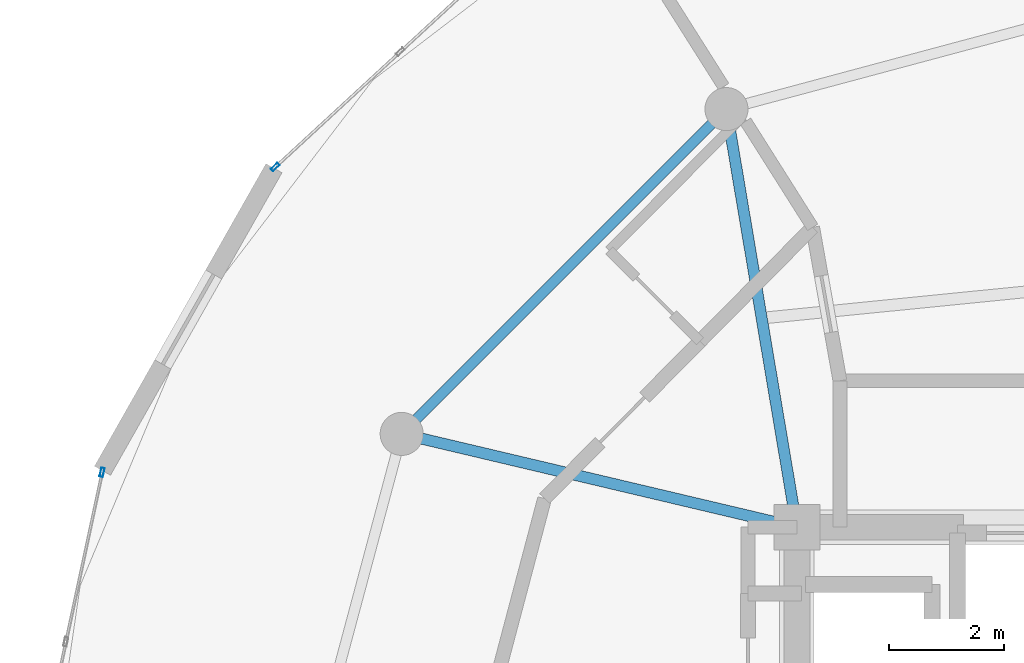
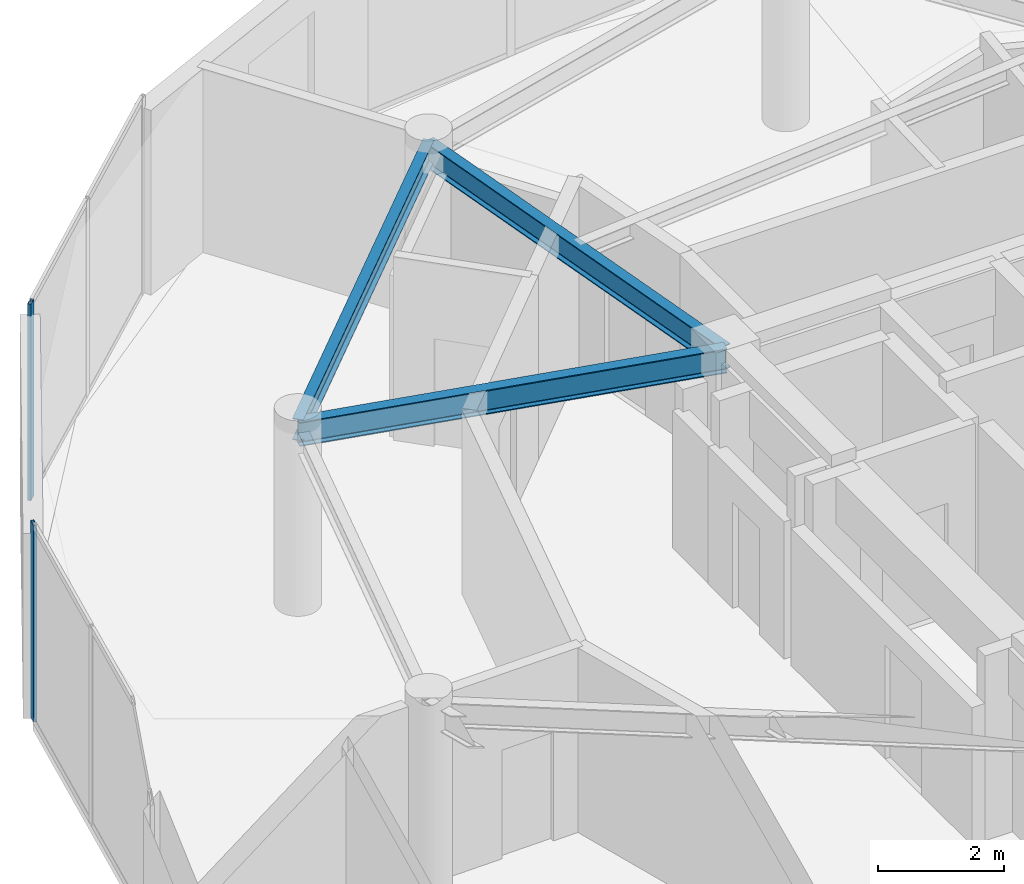
# One storey, part 9 of 22: 3 beams, 2 members, 2 elements without a shape of their own.
"""IFC4 building model written with IfcOpenShell, lengths in metres."""

import ifcopenshell
import ifcopenshell.guid

model = None  # the IFC model being written
_history = None  # IfcOwnerHistory: only IFC2X3 demands one
_inside = {}  # id of a spatial element -> (the spatial element, [elements in it])
_under = {}  # id of a project, library or spatial element -> (it, [spatial elements below it])
_declared = {}  # id of a project -> (the project, [libraries it declares])
_typed = {}  # id of a type object -> (the type object, [elements of that type])
_made_of = {}  # id of a material, layer set ... -> (it, [elements and type objects made of it])


def new_model(schema):
    """Start an empty IFC model of exactly this schema.

    Asked for "IFC4X3", IfcOpenShell would pick the latest addendum, in which some entities
    have other attributes; the version numbers below select the first issue.
    IFC2X3 requires an IfcOwnerHistory on every rooted entity: one is made here for all.
    """
    global model, _history
    if schema == "IFC4X3":
        model = ifcopenshell.file(schema_version=(4, 3, 0, 0))
    else:
        model = ifcopenshell.file(schema=schema)
    _inside.clear()
    _under.clear()
    _declared.clear()
    _typed.clear()
    _made_of.clear()
    _history = None
    if model.schema == "IFC2X3":
        org = make("IfcOrganization", Name="unknown")
        user = make(
            "IfcPersonAndOrganization",
            ThePerson=make("IfcPerson", FamilyName="unknown"),
            TheOrganization=org,
        )
        app = make(
            "IfcApplication",
            ApplicationDeveloper=org,
            Version="unknown",
            ApplicationFullName="unknown",
            ApplicationIdentifier="unknown",
        )
        _history = make(
            "IfcOwnerHistory",
            OwningUser=user,
            OwningApplication=app,
            ChangeAction="ADDED",
            CreationDate=0,
        )
    return model


def make(cls, **values):
    """One entity of the class cls with the attributes given. An attribute that is None is left unset."""
    return model.create_entity(
        cls, **{name: value for name, value in values.items() if value is not None}
    )


def rooted(cls, **values):
    """An entity with a GlobalId (a new one), such as an element, a storey or a relation."""
    return make(cls, GlobalId=ifcopenshell.guid.new(), OwnerHistory=_history, **values)


def si_unit(unit_type, name, prefix=None):
    """IfcSIUnit, for example si_unit("LENGTHUNIT", "METRE", prefix="MILLI")."""
    return make("IfcSIUnit", UnitType=unit_type, Prefix=prefix, Name=name)


def assignment(units):
    """IfcUnitAssignment: the units of a project."""
    return None if units is None else make("IfcUnitAssignment", Units=units)


def point(xyz):
    """IfcCartesianPoint."""
    return None if xyz is None else make("IfcCartesianPoint", Coordinates=xyz)


def direction(xyz):
    """IfcDirection."""
    return None if xyz is None else make("IfcDirection", DirectionRatios=xyz)


def frame(location, z_axis=None, x_axis=None):
    """IfcAxis2Placement3D, a coordinate frame: its origin and axes. An axis left out is left unset."""
    return make(
        "IfcAxis2Placement3D",
        Location=point(location),
        Axis=direction(z_axis),
        RefDirection=direction(x_axis),
    )


def frame_2d(location, x_axis=None):
    """IfcAxis2Placement2D, a coordinate frame in the plane: its origin and x axis."""
    return make(
        "IfcAxis2Placement2D", Location=point(location), RefDirection=direction(x_axis)
    )


def origin():
    """The frame at (0, 0, 0) with its axes left unset."""
    return frame((0.0, 0.0, 0.0))


def origin_2d():
    """The frame at (0, 0) in the plane with its x axis left unset."""
    return frame_2d((0.0, 0.0))


def place(relative_to, where):
    """IfcLocalPlacement: puts the frame where relative to a parent placement (None: the world)."""
    return make(
        "IfcLocalPlacement", PlacementRelTo=relative_to, RelativePlacement=where
    )


def context(
    kind, dimensions, precision=None, world=None, true_north=None, identifier=None
):
    """IfcGeometricRepresentationContext, for example the 3D "Model" context."""
    return make(
        "IfcGeometricRepresentationContext",
        ContextIdentifier=identifier,
        ContextType=kind,
        CoordinateSpaceDimension=dimensions,
        Precision=precision,
        WorldCoordinateSystem=world,
        TrueNorth=true_north,
    )


def subcontext(parent, identifier, kind, view, scale=None):
    """IfcGeometricRepresentationSubContext, for example "Body" below "Model"."""
    return make(
        "IfcGeometricRepresentationSubContext",
        ContextIdentifier=identifier,
        ContextType=kind,
        ParentContext=parent,
        TargetScale=scale,
        TargetView=view,
    )


def project(units=None, contexts=None):
    """IfcProject with its units and contexts."""
    return rooted(
        "IfcProject",
        Name="project",
        RepresentationContexts=contexts,
        UnitsInContext=assignment(units),
    )


def spatial(cls, under=None, at=None, **own):
    """A site, building, storey or space (cls), placed at a placement, below another one or the project."""
    s = rooted(cls, ObjectPlacement=at, **own)
    if under is not None:
        _under.setdefault(under.id(), (under, []))[1].append(s)
    return s


def profile(cls, at=None, kind="AREA", **sizes):
    """A parametric profile (cls). Its sizes go by their IFC names, for example OverallWidth=200.0."""
    return make(cls, ProfileType=kind, Position=at, **sizes)


def hollow_rectangle(**sizes):
    """IfcRectangleHollowProfileDef."""
    return profile("IfcRectangleHollowProfileDef", **sizes)


def i_section(**sizes):
    """IfcIShapeProfileDef."""
    return profile("IfcIShapeProfileDef", **sizes)


def extrude(swept, where, along, depth):
    """IfcExtrudedAreaSolid: the profile swept, set in the frame where, extruded along a direction by depth."""
    return make(
        "IfcExtrudedAreaSolid",
        SweptArea=swept,
        Position=where,
        ExtrudedDirection=direction(along),
        Depth=depth,
    )


def shape(context_of_items, identifier, shape_type, items):
    """IfcShapeRepresentation: the items that make up one representation, for example the "Body"."""
    return make(
        "IfcShapeRepresentation",
        ContextOfItems=context_of_items,
        RepresentationIdentifier=identifier,
        RepresentationType=shape_type,
        Items=items,
    )


def source(mapping_origin, context_of_items, identifier, shape_type, items):
    """IfcRepresentationMap: a shape defined once, which mapped items show again and again."""
    return make(
        "IfcRepresentationMap",
        MappingOrigin=mapping_origin,
        MappedRepresentation=shape(context_of_items, identifier, shape_type, items),
    )


def transform(
    local_origin,
    x_axis=None,
    y_axis=None,
    z_axis=None,
    scale=None,
    scale2=None,
    scale3=None,
    uniform=True,
):
    """IfcCartesianTransformationOperator3D, or its non-uniform kind. x_axis, y_axis, z_axis: its Axis1, 2, 3."""
    if uniform:
        return make(
            "IfcCartesianTransformationOperator3D",
            Axis1=direction(x_axis),
            Axis2=direction(y_axis),
            LocalOrigin=point(local_origin),
            Scale=scale,
            Axis3=direction(z_axis),
        )
    return make(
        "IfcCartesianTransformationOperator3DnonUniform",
        Axis1=direction(x_axis),
        Axis2=direction(y_axis),
        LocalOrigin=point(local_origin),
        Scale=scale,
        Axis3=direction(z_axis),
        Scale2=scale2,
        Scale3=scale3,
    )


def mapped(mapping_source, mapping_target):
    """IfcMappedItem: shows the shape of a source again, moved by a transform."""
    return make(
        "IfcMappedItem", MappingSource=mapping_source, MappingTarget=mapping_target
    )


def material(Name=None, Category=None):
    """IfcMaterial."""
    return make("IfcMaterial", Name=Name, Category=Category)


def layer(
    of_material, thickness, ventilated=None, Name=None, Category=None, Priority=None
):
    """IfcMaterialLayer: one layer of a wall or slab, of a material (None: an air gap)."""
    return make(
        "IfcMaterialLayer",
        Material=of_material,
        LayerThickness=thickness,
        IsVentilated=ventilated,
        Name=Name,
        Category=Category,
        Priority=Priority,
    )


def layer_set(layers, Name=None):
    """IfcMaterialLayerSet."""
    return make("IfcMaterialLayerSet", MaterialLayers=layers, LayerSetName=Name)


def material_profile(
    of_material, cross_section, Name=None, Category=None, Priority=None
):
    """IfcMaterialProfile: a cross section and its material."""
    return make(
        "IfcMaterialProfile",
        Name=Name,
        Material=of_material,
        Profile=cross_section,
        Priority=Priority,
        Category=Category,
    )


def profile_set(profiles, Name=None, composite=None):
    """IfcMaterialProfileSet."""
    return make(
        "IfcMaterialProfileSet",
        Name=Name,
        MaterialProfiles=profiles,
        CompositeProfile=composite,
    )


def made_of(thing, what):
    """Note that an element or type object is made of a material, layer set ...; save() writes the relation."""
    if what is not None:
        _made_of.setdefault(what.id(), (what, []))[1].append(thing)
    return thing


def type_object(cls, material=None, **own):
    """A type object (cls), such as IfcWallType, which elements share."""
    return made_of(rooted(cls, **own), material)


def element(
    cls,
    number,
    at=None,
    inside=None,
    cuts=None,
    type_object=None,
    material=None,
    context=None,
    identifier="Body",
    shape_type=None,
    held_by="IfcProductDefinitionShape",
    body=None,
    shapes=None,
    **own,
):
    """One element of the class cls, such as IfcWall. Its Tag is "e" and its number.

    at: its placement. inside: the storey or other place that contains it. cuts: it is an
    opening in that element (IfcRelVoidsElement). A single representation is given by context,
    identifier, shape_type and body (its items); several are given by shapes. held_by: the class
    of the entity that holds the representations. save() writes the other relations.
    """
    e = rooted(cls, Tag="e%d" % number, ObjectPlacement=at, **own)
    if body is not None:
        shapes = [shape(context, identifier, shape_type, body)]
    if shapes is not None:
        e.Representation = make(held_by, Representations=shapes)
    if inside is not None:
        _inside.setdefault(inside.id(), (inside, []))[1].append(e)
    if cuts is not None:
        rooted(
            "IfcRelVoidsElement", RelatingBuildingElement=cuts, RelatedOpeningElement=e
        )
    if type_object is not None:
        _typed.setdefault(type_object.id(), (type_object, []))[1].append(e)
    return made_of(e, material)


def aggregate(whole, parts):
    """IfcRelAggregates: a whole, such as a stair, and the parts it consists of."""
    return rooted("IfcRelAggregates", RelatingObject=whole, RelatedObjects=parts)


def save(model, path):
    """Write the relations noted so far, then the file.

    IfcRelAggregates (storeys below a building ...), IfcRelContainedInSpatialStructure (elements
    in a storey), IfcRelDefinesByType, IfcRelAssociatesMaterial and IfcRelDeclares: one each for
    every whole, place, type object, material and project.
    """
    for whole, parts in _under.values():
        aggregate(whole, parts)
    for where, things in _inside.values():
        rooted(
            "IfcRelContainedInSpatialStructure",
            RelatedElements=things,
            RelatingStructure=where,
        )
    for kind, things in _typed.values():
        rooted("IfcRelDefinesByType", RelatedObjects=things, RelatingType=kind)
    for what, things in _made_of.values():
        rooted("IfcRelAssociatesMaterial", RelatedObjects=things, RelatingMaterial=what)
    for by, libraries in _declared.values():
        rooted("IfcRelDeclares", RelatingContext=by, RelatedDefinitions=libraries)
    model.write(path)


model = new_model("IFC4")

# Units and contexts
model_context = context("Model", 3, precision=1e-05, world=origin(), true_north=direction((0.0, 1.0)))
body_context = subcontext(model_context, "Body", "Model", "MODEL_VIEW")
ifc_project = project(units=[si_unit("LENGTHUNIT", "METRE"), si_unit("AREAUNIT", "SQUARE_METRE"), si_unit("VOLUMEUNIT", "CUBIC_METRE"), si_unit("PLANEANGLEUNIT", "RADIAN"), si_unit("MASSUNIT", "GRAM", prefix="KILO")], contexts=[model_context])

# Site, building, storey
site_placement = place(None, origin())
site = spatial("IfcSite", under=ifc_project, at=site_placement, CompositionType="ELEMENT")
building_placement = place(site_placement, origin())
building = spatial("IfcBuilding", under=site, at=building_placement, Name="Solvirekh Grand Hotel", CompositionType="ELEMENT")
storey_placement = place(building_placement, frame((0.0, 0.0, 289.60009765625)))
storey = spatial("IfcBuildingStorey", under=building, at=storey_placement, Name="L75", CompositionType="ELEMENT", Elevation=289.60009765625)

# Beams
ifc_material_1 = material(Name="Steel S355", Category="steel")
ifc_material_profile_1 = material_profile(ifc_material_1, i_section(OverallWidth=0.194091796875, OverallDepth=0.468994140625, WebThickness=0.010986328125, FlangeThickness=0.01904296875, FilletRadius=0.012939453125, at=origin_2d()), Name="W460X106")
ifc_profile_set_1 = profile_set([ifc_material_profile_1], Name="Steel S355")
beam_type_1 = type_object("IfcBeamType", Name="Beam_Radial_W460H", PredefinedType="BEAM", material=ifc_profile_set_1)
beam_1_placement = place(storey_placement, frame((-6.5, 6.10009765625, 3.3349609375), z_axis=(-0.165954049106, 0.986133486697, 0.0), x_axis=(-0.986133486697, -0.165954049106, 0.0)))
element("IfcBeam", 1, at=beam_1_placement, inside=storey, type_object=beam_type_1, Name="L75 radial floor beam R05", PredefinedType="BEAM", context=body_context, shape_type="SweptSolid", body=[
    extrude(i_section(OverallWidth=0.194091796875, OverallDepth=0.468994140625, WebThickness=0.010986328125, FlangeThickness=0.01904296875, FilletRadius=0.012939453125, at=origin_2d()), origin(), (0.0, 0.0, 1.0), 7.382080078125),
])
beam_2_placement = place(storey_placement, frame((-6.5, 6.10009765625, 3.3349609375), z_axis=(-0.973221147544, 0.229870828888, 0.0), x_axis=(-0.229870828888, -0.973221147544, 0.0)))
element("IfcBeam", 2, at=beam_2_placement, inside=storey, type_object=beam_type_1, Name="L75 radial floor beam R06", PredefinedType="BEAM", context=body_context, shape_type="SweptSolid", body=[
    extrude(i_section(OverallWidth=0.194091796875, OverallDepth=0.468994140625, WebThickness=0.010986328125, FlangeThickness=0.01904296875, FilletRadius=0.012939453125, at=origin_2d()), origin(), (0.0, 0.0, 1.0), 7.069091796875),
])
ifc_material_profile_2 = material_profile(ifc_material_1, i_section(OverallWidth=0.180908203125, OverallDepth=0.4169921875, WebThickness=0.010009765625, FlangeThickness=0.01611328125, FilletRadius=0.011962890625, at=origin_2d()), Name="W410X85")
ifc_profile_set_2 = profile_set([ifc_material_profile_2], Name="Steel S355")
beam_type_2 = type_object("IfcBeamType", Name="Spandrel_Ring_W410", PredefinedType="SPANDREL", material=ifc_profile_set_2)
beam_3_placement = place(storey_placement, frame((-7.72509765625, 13.3798828125, 3.36181640625), z_axis=(-0.707106781187, -0.707106781187, 0.0), x_axis=(0.707106781187, -0.707106781187, 0.0)))
element("IfcBeam", 3, at=beam_3_placement, inside=storey, type_object=beam_type_2, Name="L75 perimeter spandrel beam 5", PredefinedType="SPANDREL", context=body_context, shape_type="SweptSolid", body=[
    extrude(i_section(OverallWidth=0.180908203125, OverallDepth=0.4169921875, WebThickness=0.010009765625, FlangeThickness=0.01611328125, FilletRadius=0.011962890625, at=origin_2d()), origin(), (0.0, 0.0, 1.0), 7.9970703125),
])

# Curtain wall, member
ifc_material_2 = material(Name="Anodized Bronze Aluminium 6063-T6", Category="aluminium")
ifc_layer = layer(ifc_material_2, 0.159912109375)
ifc_layer_set = layer_set([ifc_layer], Name="Anodized Bronze Aluminium 6063-T6")
curtain_wall_type = type_object("IfcCurtainWallType", Name="CW_Sys4_HighZoneFlushBronzeCW", PredefinedType="NOTDEFINED", material=ifc_layer_set)
curtain_wall_1_placement = place(storey_placement, origin())
curtain_wall_1 = element("IfcCurtainWall", 4, at=curtain_wall_1_placement, inside=storey, type_object=curtain_wall_type, Name="L75 unitised bronze-glass curtain wall CW-L75-C13", PredefinedType="NOTDEFINED")
ifc_material_profile_3 = material_profile(ifc_material_2, hollow_rectangle(XDim=0.06005859375, YDim=0.159912109375, WallThickness=0.0048828125, at=origin_2d()), Name="ALU RHS 160X60X5")
ifc_profile_set_3 = profile_set([ifc_material_profile_3], Name="Anodized Bronze Aluminium 6063-T6")
member_type = type_object("IfcMemberType", Name="CWMullion_Sys4", PredefinedType="MULLION", material=ifc_profile_set_3)
shared_shape = source(origin(), body_context, "Body", "SweptSolid", [
    extrude(hollow_rectangle(XDim=0.06005859375, YDim=0.159912109375, WallThickness=0.0048828125, at=origin_2d()), origin(), (0.0, 0.0, 1.0), 3.7998046875),
])
member_1_placement = place(storey_placement, frame((-15.58203125, 12.371337890625, 0.0), z_axis=(0.0, 0.0, 1.0), x_axis=(0.678044115667, -0.73502120868, 0.0)))
member_1 = element("IfcMember", 5, at=member_1_placement, type_object=member_type, Name="U04 mullion 3", PredefinedType="MULLION", context=body_context, shape_type="MappedRepresentation", body=[
    mapped(shared_shape, transform((0.0, 0.0, 0.0), x_axis=(1.0, 0.0, 0.0), y_axis=(0.0, 1.0, 0.0), z_axis=(0.0, 0.0, 1.0), scale=1.0)),
])
aggregate(curtain_wall_1, [member_1])

curtain_wall_2_placement = place(storey_placement, origin())
curtain_wall_2 = element("IfcCurtainWall", 6, at=curtain_wall_2_placement, inside=storey, type_object=curtain_wall_type, Name="L75 unitised bronze-glass curtain wall CW-L75-C15", PredefinedType="NOTDEFINED")
member_2_placement = place(storey_placement, frame((-18.59521484375, 7.0556640625, 0.0), z_axis=(0.0, 0.0, 1.0), x_axis=(0.977807215623, -0.209506680265, 0.0)))
member_2 = element("IfcMember", 7, at=member_2_placement, type_object=member_type, Name="U04 mullion 1", PredefinedType="MULLION", context=body_context, shape_type="MappedRepresentation", body=[
    mapped(shared_shape, transform((0.0, 0.0, 0.0), x_axis=(1.0, 0.0, 0.0), y_axis=(0.0, 1.0, 0.0), z_axis=(0.0, 0.0, 1.0), scale=1.0)),
])
aggregate(curtain_wall_2, [member_2])

save(model, "model.ifc")
